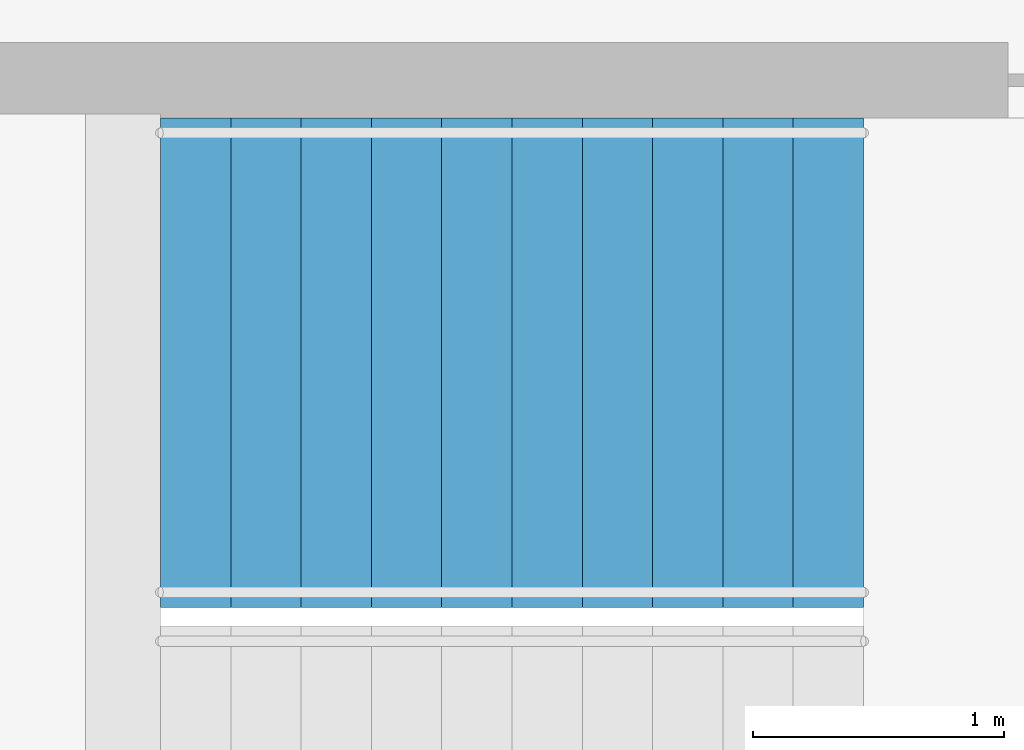
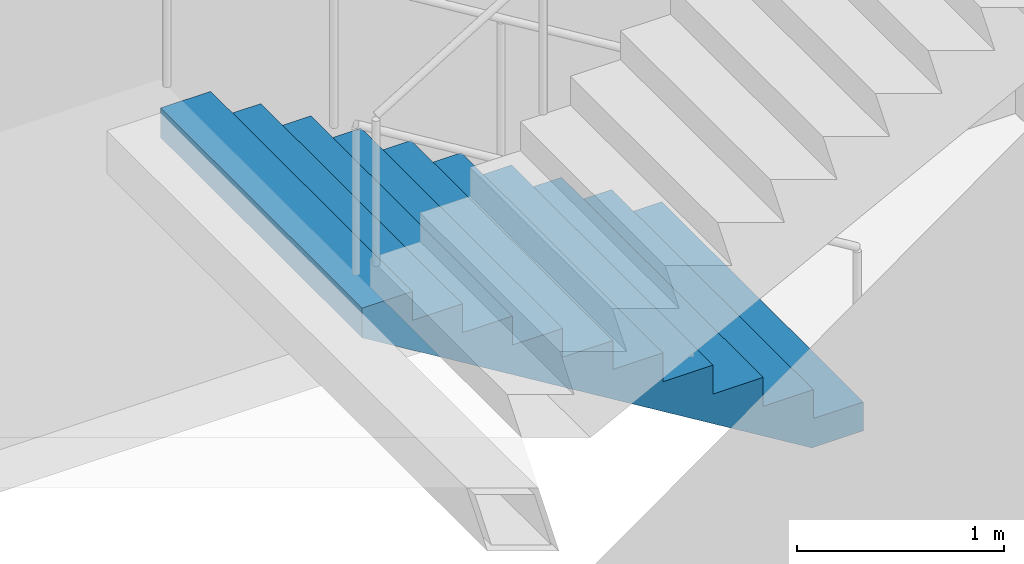
# One storey, part 20 of 21: 1 stair flight, 1 element without a shape of its own.
"""IFC4 building model written with IfcOpenShell, lengths in metres."""

import ifcopenshell
import ifcopenshell.guid

model = None  # the IFC model being written
_history = None  # IfcOwnerHistory: only IFC2X3 demands one
_inside = {}  # id of a spatial element -> (the spatial element, [elements in it])
_under = {}  # id of a project, library or spatial element -> (it, [spatial elements below it])
_declared = {}  # id of a project -> (the project, [libraries it declares])
_typed = {}  # id of a type object -> (the type object, [elements of that type])
_made_of = {}  # id of a material, layer set ... -> (it, [elements and type objects made of it])


def new_model(schema):
    """Start an empty IFC model of exactly this schema.

    Asked for "IFC4X3", IfcOpenShell would pick the latest addendum, in which some entities
    have other attributes; the version numbers below select the first issue.
    IFC2X3 requires an IfcOwnerHistory on every rooted entity: one is made here for all.
    """
    global model, _history
    if schema == "IFC4X3":
        model = ifcopenshell.file(schema_version=(4, 3, 0, 0))
    else:
        model = ifcopenshell.file(schema=schema)
    _inside.clear()
    _under.clear()
    _declared.clear()
    _typed.clear()
    _made_of.clear()
    _history = None
    if model.schema == "IFC2X3":
        org = make("IfcOrganization", Name="unknown")
        user = make(
            "IfcPersonAndOrganization",
            ThePerson=make("IfcPerson", FamilyName="unknown"),
            TheOrganization=org,
        )
        app = make(
            "IfcApplication",
            ApplicationDeveloper=org,
            Version="unknown",
            ApplicationFullName="unknown",
            ApplicationIdentifier="unknown",
        )
        _history = make(
            "IfcOwnerHistory",
            OwningUser=user,
            OwningApplication=app,
            ChangeAction="ADDED",
            CreationDate=0,
        )
    return model


def make(cls, **values):
    """One entity of the class cls with the attributes given. An attribute that is None is left unset."""
    return model.create_entity(
        cls, **{name: value for name, value in values.items() if value is not None}
    )


def rooted(cls, **values):
    """An entity with a GlobalId (a new one), such as an element, a storey or a relation."""
    return make(cls, GlobalId=ifcopenshell.guid.new(), OwnerHistory=_history, **values)


def si_unit(unit_type, name, prefix=None):
    """IfcSIUnit, for example si_unit("LENGTHUNIT", "METRE", prefix="MILLI")."""
    return make("IfcSIUnit", UnitType=unit_type, Prefix=prefix, Name=name)


def assignment(units):
    """IfcUnitAssignment: the units of a project."""
    return None if units is None else make("IfcUnitAssignment", Units=units)


def point(xyz):
    """IfcCartesianPoint."""
    return None if xyz is None else make("IfcCartesianPoint", Coordinates=xyz)


def direction(xyz):
    """IfcDirection."""
    return None if xyz is None else make("IfcDirection", DirectionRatios=xyz)


def frame(location, z_axis=None, x_axis=None):
    """IfcAxis2Placement3D, a coordinate frame: its origin and axes. An axis left out is left unset."""
    return make(
        "IfcAxis2Placement3D",
        Location=point(location),
        Axis=direction(z_axis),
        RefDirection=direction(x_axis),
    )


def origin():
    """The frame at (0, 0, 0) with its axes left unset."""
    return frame((0.0, 0.0, 0.0))


def place(relative_to, where):
    """IfcLocalPlacement: puts the frame where relative to a parent placement (None: the world)."""
    return make(
        "IfcLocalPlacement", PlacementRelTo=relative_to, RelativePlacement=where
    )


def context(
    kind, dimensions, precision=None, world=None, true_north=None, identifier=None
):
    """IfcGeometricRepresentationContext, for example the 3D "Model" context."""
    return make(
        "IfcGeometricRepresentationContext",
        ContextIdentifier=identifier,
        ContextType=kind,
        CoordinateSpaceDimension=dimensions,
        Precision=precision,
        WorldCoordinateSystem=world,
        TrueNorth=true_north,
    )


def subcontext(parent, identifier, kind, view, scale=None):
    """IfcGeometricRepresentationSubContext, for example "Body" below "Model"."""
    return make(
        "IfcGeometricRepresentationSubContext",
        ContextIdentifier=identifier,
        ContextType=kind,
        ParentContext=parent,
        TargetScale=scale,
        TargetView=view,
    )


def project(units=None, contexts=None):
    """IfcProject with its units and contexts."""
    return rooted(
        "IfcProject",
        Name="project",
        RepresentationContexts=contexts,
        UnitsInContext=assignment(units),
    )


def spatial(cls, under=None, at=None, **own):
    """A site, building, storey or space (cls), placed at a placement, below another one or the project."""
    s = rooted(cls, ObjectPlacement=at, **own)
    if under is not None:
        _under.setdefault(under.id(), (under, []))[1].append(s)
    return s


def point_list(points):
    """IfcCartesianPointList2D or 3D."""
    cls = (
        "IfcCartesianPointList2D" if len(points[0]) == 2 else "IfcCartesianPointList3D"
    )
    return make(cls, CoordList=points)


def triangles(points, corners, closed=None, point_numbers=None):
    """IfcTriangulatedFaceSet: each triangle names its three corners, points numbered from 1."""
    return make(
        "IfcTriangulatedFaceSet",
        Coordinates=point_list(points),
        Closed=closed,
        CoordIndex=corners,
        PnIndex=point_numbers,
    )


def shape(context_of_items, identifier, shape_type, items):
    """IfcShapeRepresentation: the items that make up one representation, for example the "Body"."""
    return make(
        "IfcShapeRepresentation",
        ContextOfItems=context_of_items,
        RepresentationIdentifier=identifier,
        RepresentationType=shape_type,
        Items=items,
    )


def material(Name=None, Category=None):
    """IfcMaterial."""
    return make("IfcMaterial", Name=Name, Category=Category)


def made_of(thing, what):
    """Note that an element or type object is made of a material, layer set ...; save() writes the relation."""
    if what is not None:
        _made_of.setdefault(what.id(), (what, []))[1].append(thing)
    return thing


def type_object(cls, material=None, **own):
    """A type object (cls), such as IfcWallType, which elements share."""
    return made_of(rooted(cls, **own), material)


def element(
    cls,
    number,
    at=None,
    inside=None,
    cuts=None,
    type_object=None,
    material=None,
    context=None,
    identifier="Body",
    shape_type=None,
    held_by="IfcProductDefinitionShape",
    body=None,
    shapes=None,
    **own,
):
    """One element of the class cls, such as IfcWall. Its Tag is "e" and its number.

    at: its placement. inside: the storey or other place that contains it. cuts: it is an
    opening in that element (IfcRelVoidsElement). A single representation is given by context,
    identifier, shape_type and body (its items); several are given by shapes. held_by: the class
    of the entity that holds the representations. save() writes the other relations.
    """
    e = rooted(cls, Tag="e%d" % number, ObjectPlacement=at, **own)
    if body is not None:
        shapes = [shape(context, identifier, shape_type, body)]
    if shapes is not None:
        e.Representation = make(held_by, Representations=shapes)
    if inside is not None:
        _inside.setdefault(inside.id(), (inside, []))[1].append(e)
    if cuts is not None:
        rooted(
            "IfcRelVoidsElement", RelatingBuildingElement=cuts, RelatedOpeningElement=e
        )
    if type_object is not None:
        _typed.setdefault(type_object.id(), (type_object, []))[1].append(e)
    return made_of(e, material)


def aggregate(whole, parts):
    """IfcRelAggregates: a whole, such as a stair, and the parts it consists of."""
    return rooted("IfcRelAggregates", RelatingObject=whole, RelatedObjects=parts)


def save(model, path):
    """Write the relations noted so far, then the file.

    IfcRelAggregates (storeys below a building ...), IfcRelContainedInSpatialStructure (elements
    in a storey), IfcRelDefinesByType, IfcRelAssociatesMaterial and IfcRelDeclares: one each for
    every whole, place, type object, material and project.
    """
    for whole, parts in _under.values():
        aggregate(whole, parts)
    for where, things in _inside.values():
        rooted(
            "IfcRelContainedInSpatialStructure",
            RelatedElements=things,
            RelatingStructure=where,
        )
    for kind, things in _typed.values():
        rooted("IfcRelDefinesByType", RelatedObjects=things, RelatingType=kind)
    for what, things in _made_of.values():
        rooted("IfcRelAssociatesMaterial", RelatedObjects=things, RelatingMaterial=what)
    for by, libraries in _declared.values():
        rooted("IfcRelDeclares", RelatingContext=by, RelatedDefinitions=libraries)
    model.write(path)


model = new_model("IFC4")

# Units and contexts
model_context = context("Model", 3, precision=1e-05, world=origin(), true_north=direction((0.0, 1.0)))
body_context = subcontext(model_context, "Body", "Model", "MODEL_VIEW")
ifc_project = project(units=[si_unit("LENGTHUNIT", "METRE"), si_unit("AREAUNIT", "SQUARE_METRE"), si_unit("VOLUMEUNIT", "CUBIC_METRE"), si_unit("PLANEANGLEUNIT", "RADIAN"), si_unit("MASSUNIT", "GRAM", prefix="KILO")], contexts=[model_context])

# Site, building, storey
site_placement = place(None, origin())
site = spatial("IfcSite", under=ifc_project, at=site_placement, CompositionType="ELEMENT")
building_placement = place(site_placement, origin())
building = spatial("IfcBuilding", under=site, at=building_placement, Name="Orbita Commons", CompositionType="ELEMENT")
storey_placement = place(building_placement, frame((0.0, 0.0, 125.64990234375)))
storey = spatial("IfcBuildingStorey", under=building, at=storey_placement, Name="L31", CompositionType="ELEMENT", Elevation=125.64990234375)

# Stair, stair flight
ifc_material_1 = material(Name="Precast concrete C40/50", Category="concrete")
stair_type = type_object("IfcStairType", Name="Exit stair S2 2 flights 11 risers 170", PredefinedType="HALF_TURN_STAIR", material=ifc_material_1)
stair_placement = place(storey_placement, origin())
stair = element("IfcStair", 1, at=stair_placement, inside=storey, type_object=stair_type, Name="Exit stair S2 L31", PredefinedType="HALF_TURN_STAIR")
ifc_material_2 = material(Name="Precast concrete C40/50", Category="concrete")
stair_flight_type = type_object("IfcStairFlightType", Name="Stair flight 11 risers 170 x 280", PredefinedType="STRAIGHT", material=ifc_material_2)
stair_flight_placement = place(storey_placement, frame((63.550048828125, 29.27490234375, 0.0), z_axis=(0.0, 0.0, 1.0), x_axis=(-1.0, 0.0, 0.0)))
stair_flight = element("IfcStairFlight", 2, at=stair_flight_placement, type_object=stair_flight_type, Name="S2 flight 1", NumberOfRisers=11, NumberOfTreads=10, PredefinedType="STRAIGHT", RiserHeight=0.170454545, TreadLength=0.28, context=body_context, shape_type="Tessellation", body=[
    triangles([(0.0, 0.974976, 0.0), (0.0, 0.974976, 0.021307), (0.0, 0.81248, 0.021307), (0.0, 0.81248, 0.0), (0.0, 0.649984, 0.021307), (0.0, 0.649984, 0.0), (0.0, 0.487488, 0.021307), (0.0, 0.487488, 0.0), (0.0, 0.324992, 0.021307), (0.0, 0.324992, 0.0), (0.0, 0.162496, 0.021307), (0.0, 0.162496, 0.0), (0.0, 0.0, 0.021307), (0.0, 0.0, 0.0), (0.0, -0.162496, 0.021307), (0.0, -0.162496, 0.0), (0.0, -0.324992, 0.021307), (0.0, -0.324992, 0.0), (0.0, -0.487488, 0.021307), (0.0, -0.487488, 0.0), (0.0, -0.649984, 0.021307), (0.0, -0.649984, 0.0), (0.0, -0.81248, 0.021307), (0.0, -0.81248, 0.0), (0.0, -0.974976, 0.021307), (0.0, -0.974976, 0.0), (0.0, 0.974976, 0.042614), (0.0, 0.81248, 0.042614), (0.0, 0.649984, 0.042614), (0.0, 0.487488, 0.042614), (0.0, 0.324992, 0.042614), (0.0, 0.162496, 0.042614), (0.0, 0.0, 0.042614), (0.0, -0.162496, 0.042614), (0.0, -0.324992, 0.042614), (0.0, -0.487488, 0.042614), (0.0, -0.649984, 0.042614), (0.0, -0.81248, 0.042614), (0.0, -0.974976, 0.042614), (0.0, 0.974976, 0.06392), (0.0, 0.81248, 0.06392), (0.0, 0.649984, 0.06392), (0.0, 0.487488, 0.06392), (0.0, 0.324992, 0.06392), (0.0, 0.162496, 0.06392), (0.0, 0.0, 0.06392), (0.0, -0.162496, 0.06392), (0.0, -0.324992, 0.06392), (0.0, -0.487488, 0.06392), (0.0, -0.649984, 0.06392), (0.0, -0.81248, 0.06392), (0.0, -0.974976, 0.06392), (0.0, 0.974976, 0.085227), (0.0, 0.81248, 0.085227), (0.0, 0.649984, 0.085227), (0.0, 0.487488, 0.085227), (0.0, 0.324992, 0.085227), (0.0, 0.162496, 0.085227), (0.0, 0.0, 0.085227), (0.0, -0.162496, 0.085227), (0.0, -0.324992, 0.085227), (0.0, -0.487488, 0.085227), (0.0, -0.649984, 0.085227), (0.0, -0.81248, 0.085227), (0.0, -0.974976, 0.085227), (0.0, 0.974976, 0.106534), (0.0, 0.81248, 0.106534), (0.0, 0.649984, 0.106534), (0.0, 0.487488, 0.106534), (0.0, 0.324992, 0.106534), (0.0, 0.162496, 0.106534), (0.0, 0.0, 0.106534), (0.0, -0.162496, 0.106534), (0.0, -0.324992, 0.106534), (0.0, -0.487488, 0.106534), (0.0, -0.649984, 0.106534), (0.0, -0.81248, 0.106534), (0.0, -0.974976, 0.106534), (0.0, 0.974976, 0.127841), (0.0, 0.81248, 0.127841), (0.0, 0.649984, 0.127841), (0.0, 0.487488, 0.127841), (0.0, 0.324992, 0.127841), (0.0, 0.162496, 0.127841), (0.0, 0.0, 0.127841), (0.0, -0.162496, 0.127841), (0.0, -0.324992, 0.127841), (0.0, -0.487488, 0.127841), (0.0, -0.649984, 0.127841), (0.0, -0.81248, 0.127841), (0.0, -0.974976, 0.127841), (0.0, 0.974976, 0.149148), (0.0, 0.81248, 0.149148), (0.0, 0.649984, 0.149148), (0.0, 0.487488, 0.149148), (0.0, 0.324992, 0.149148), (0.0, 0.162496, 0.149148), (0.0, 0.0, 0.149148), (0.0, -0.162496, 0.149148), (0.0, -0.324992, 0.149148), (0.0, -0.487488, 0.149148), (0.0, -0.649984, 0.149148), (0.0, -0.81248, 0.149148), (0.0, -0.974976, 0.149148), (0.0, 0.974976, 0.170455), (0.0, 0.81248, 0.170455), (0.0, 0.649984, 0.170455), (0.0, 0.487488, 0.170455), (0.0, 0.324992, 0.170455), (0.0, 0.162496, 0.170455), (0.0, 0.0, 0.170455), (0.0, -0.162496, 0.170455), (0.0, -0.324992, 0.170455), (0.0, -0.487488, 0.170455), (0.0, -0.649984, 0.170455), (0.0, -0.81248, 0.170455), (0.0, -0.974976, 0.170455), (0.28, 0.974976, 0.170455), (0.28, 0.81248, 0.170455), (0.28, 0.649984, 0.170455), (0.28, 0.487488, 0.170455), (0.28, 0.324992, 0.170455), (0.28, 0.162496, 0.170455), (0.28, 0.0, 0.170455), (0.28, -0.162496, 0.170455), (0.28, -0.324992, 0.170455), (0.28, -0.487488, 0.170455), (0.28, -0.649984, 0.170455), (0.28, -0.81248, 0.170455), (0.28, -0.974976, 0.170455), (0.28, 0.974976, 0.340909), (0.28, 0.81248, 0.340909), (0.28, 0.649984, 0.340909), (0.28, 0.487488, 0.340909), (0.28, 0.324992, 0.340909), (0.28, 0.162496, 0.340909), (0.28, 0.0, 0.340909), (0.28, -0.162496, 0.340909), (0.28, -0.324992, 0.340909), (0.28, -0.487488, 0.340909), (0.28, -0.649984, 0.340909), (0.28, -0.81248, 0.340909), (0.28, -0.974976, 0.340909), (0.56, 0.974976, 0.340909), (0.56, 0.81248, 0.340909), (0.56, 0.649984, 0.340909), (0.56, 0.487488, 0.340909), (0.56, 0.324992, 0.340909), (0.56, 0.162496, 0.340909), (0.56, 0.0, 0.340909), (0.56, -0.162496, 0.340909), (0.56, -0.324992, 0.340909), (0.56, -0.487488, 0.340909), (0.56, -0.649984, 0.340909), (0.56, -0.81248, 0.340909), (0.56, -0.974976, 0.340909), (0.56, 0.974976, 0.511364), (0.56, 0.81248, 0.511364), (0.56, 0.649984, 0.511364), (0.56, 0.487488, 0.511364), (0.56, 0.324992, 0.511364), (0.56, 0.162496, 0.511364), (0.56, 0.0, 0.511364), (0.56, -0.162496, 0.511364), (0.56, -0.324992, 0.511364), (0.56, -0.487488, 0.511364), (0.56, -0.649984, 0.511364), (0.56, -0.81248, 0.511364), (0.56, -0.974976, 0.511364), (0.84, 0.974976, 0.511364), (0.84, 0.81248, 0.511364), (0.84, 0.649984, 0.511364), (0.84, 0.487488, 0.511364), (0.84, 0.324992, 0.511364), (0.84, 0.162496, 0.511364), (0.84, 0.0, 0.511364), (0.84, -0.162496, 0.511364), (0.84, -0.324992, 0.511364), (0.84, -0.487488, 0.511364), (0.84, -0.649984, 0.511364), (0.84, -0.81248, 0.511364), (0.84, -0.974976, 0.511364), (0.84, 0.974976, 0.681818), (0.84, 0.81248, 0.681818), (0.84, 0.649984, 0.681818), (0.84, 0.487488, 0.681818), (0.84, 0.324992, 0.681818), (0.84, 0.162496, 0.681818), (0.84, 0.0, 0.681818), (0.84, -0.162496, 0.681818), (0.84, -0.324992, 0.681818), (0.84, -0.487488, 0.681818), (0.84, -0.649984, 0.681818), (0.84, -0.81248, 0.681818), (0.84, -0.974976, 0.681818), (1.12, 0.974976, 0.681818), (1.12, 0.81248, 0.681818), (1.12, 0.649984, 0.681818), (1.12, 0.487488, 0.681818), (1.12, 0.324992, 0.681818), (1.12, 0.162496, 0.681818), (1.12, 0.0, 0.681818), (1.12, -0.162496, 0.681818), (1.12, -0.324992, 0.681818), (1.12, -0.487488, 0.681818), (1.12, -0.649984, 0.681818), (1.12, -0.81248, 0.681818), (1.12, -0.974976, 0.681818), (1.12, 0.974976, 0.852273), (1.12, 0.81248, 0.852273), (1.12, 0.649984, 0.852273), (1.12, 0.487488, 0.852273), (1.12, 0.324992, 0.852273), (1.12, 0.162496, 0.852273), (1.12, 0.0, 0.852273), (1.12, -0.162496, 0.852273), (1.12, -0.324992, 0.852273), (1.12, -0.487488, 0.852273), (1.12, -0.649984, 0.852273), (1.12, -0.81248, 0.852273), (1.12, -0.974976, 0.852273), (1.4, 0.974976, 0.852273), (1.4, 0.81248, 0.852273), (1.4, 0.649984, 0.852273), (1.4, 0.487488, 0.852273), (1.4, 0.324992, 0.852273), (1.4, 0.162496, 0.852273), (1.4, 0.0, 0.852273), (1.4, -0.162496, 0.852273), (1.4, -0.324992, 0.852273), (1.4, -0.487488, 0.852273), (1.4, -0.649984, 0.852273), (1.4, -0.81248, 0.852273), (1.4, -0.974976, 0.852273), (1.4, 0.974976, 1.022727), (1.4, 0.81248, 1.022727), (1.4, 0.649984, 1.022727), (1.4, 0.487488, 1.022727), (1.4, 0.324992, 1.022727), (1.4, 0.162496, 1.022727), (1.4, 0.0, 1.022727), (1.4, -0.162496, 1.022727), (1.4, -0.324992, 1.022727), (1.4, -0.487488, 1.022727), (1.4, -0.649984, 1.022727), (1.4, -0.81248, 1.022727), (1.4, -0.974976, 1.022727), (1.68, 0.974976, 1.022727), (1.68, 0.81248, 1.022727), (1.68, 0.649984, 1.022727), (1.68, 0.487488, 1.022727), (1.68, 0.324992, 1.022727), (1.68, 0.162496, 1.022727), (1.68, 0.0, 1.022727), (1.68, -0.162496, 1.022727), (1.68, -0.324992, 1.022727), (1.68, -0.487488, 1.022727), (1.68, -0.649984, 1.022727), (1.68, -0.81248, 1.022727), (1.68, -0.974976, 1.022727), (1.68, 0.974976, 1.193182), (1.68, 0.81248, 1.193182), (1.68, 0.649984, 1.193182), (1.68, 0.487488, 1.193182), (1.68, 0.324992, 1.193182), (1.68, 0.162496, 1.193182), (1.68, 0.0, 1.193182), (1.68, -0.162496, 1.193182), (1.68, -0.324992, 1.193182), (1.68, -0.487488, 1.193182), (1.68, -0.649984, 1.193182), (1.68, -0.81248, 1.193182), (1.68, -0.974976, 1.193182), (1.96, 0.974976, 1.193182), (1.96, 0.81248, 1.193182), (1.96, 0.649984, 1.193182), (1.96, 0.487488, 1.193182), (1.96, 0.324992, 1.193182), (1.96, 0.162496, 1.193182), (1.96, 0.0, 1.193182), (1.96, -0.162496, 1.193182), (1.96, -0.324992, 1.193182), (1.96, -0.487488, 1.193182), (1.96, -0.649984, 1.193182), (1.96, -0.81248, 1.193182), (1.96, -0.974976, 1.193182), (1.96, 0.974976, 1.363636), (1.96, 0.81248, 1.363636), (1.96, 0.649984, 1.363636), (1.96, 0.487488, 1.363636), (1.96, 0.324992, 1.363636), (1.96, 0.162496, 1.363636), (1.96, 0.0, 1.363636), (1.96, -0.162496, 1.363636), (1.96, -0.324992, 1.363636), (1.96, -0.487488, 1.363636), (1.96, -0.649984, 1.363636), (1.96, -0.81248, 1.363636), (1.96, -0.974976, 1.363636), (2.24, 0.974976, 1.363636), (2.24, 0.81248, 1.363636), (2.24, 0.649984, 1.363636), (2.24, 0.487488, 1.363636), (2.24, 0.324992, 1.363636), (2.24, 0.162496, 1.363636), (2.24, 0.0, 1.363636), (2.24, -0.162496, 1.363636), (2.24, -0.324992, 1.363636), (2.24, -0.487488, 1.363636), (2.24, -0.649984, 1.363636), (2.24, -0.81248, 1.363636), (2.24, -0.974976, 1.363636), (2.24, 0.974976, 1.534091), (2.24, 0.81248, 1.534091), (2.24, 0.649984, 1.534091), (2.24, 0.487488, 1.534091), (2.24, 0.324992, 1.534091), (2.24, 0.162496, 1.534091), (2.24, 0.0, 1.534091), (2.24, -0.162496, 1.534091), (2.24, -0.324992, 1.534091), (2.24, -0.487488, 1.534091), (2.24, -0.649984, 1.534091), (2.24, -0.81248, 1.534091), (2.24, -0.974976, 1.534091), (2.52, 0.974976, 1.534091), (2.52, 0.81248, 1.534091), (2.52, 0.649984, 1.534091), (2.52, 0.487488, 1.534091), (2.52, 0.324992, 1.534091), (2.52, 0.162496, 1.534091), (2.52, 0.0, 1.534091), (2.52, -0.162496, 1.534091), (2.52, -0.324992, 1.534091), (2.52, -0.487488, 1.534091), (2.52, -0.649984, 1.534091), (2.52, -0.81248, 1.534091), (2.52, -0.974976, 1.534091), (2.52, 0.974976, 1.704545), (2.52, 0.81248, 1.704545), (2.52, 0.649984, 1.704545), (2.52, 0.487488, 1.704545), (2.52, 0.324992, 1.704545), (2.52, 0.162496, 1.704545), (2.52, 0.0, 1.704545), (2.52, -0.162496, 1.704545), (2.52, -0.324992, 1.704545), (2.52, -0.487488, 1.704545), (2.52, -0.649984, 1.704545), (2.52, -0.81248, 1.704545), (2.52, -0.974976, 1.704545), (2.8, 0.974976, 1.704545), (2.8, 0.81248, 1.704545), (2.8, 0.649984, 1.704545), (2.8, 0.487488, 1.704545), (2.8, 0.324992, 1.704545), (2.8, 0.162496, 1.704545), (2.8, 0.0, 1.704545), (2.8, -0.162496, 1.704545), (2.8, -0.324992, 1.704545), (2.8, -0.487488, 1.704545), (2.8, -0.649984, 1.704545), (2.8, -0.81248, 1.704545), (2.8, -0.974976, 1.704545), (2.8, 0.974976, 1.682609), (2.8, 0.81248, 1.682609), (2.8, 0.649984, 1.682609), (2.8, 0.487488, 1.682609), (2.8, 0.324992, 1.682609), (2.8, 0.162496, 1.682609), (2.8, 0.0, 1.682609), (2.8, -0.162496, 1.682609), (2.8, -0.324992, 1.682609), (2.8, -0.487488, 1.682609), (2.8, -0.649984, 1.682609), (2.8, -0.81248, 1.682609), (2.8, -0.974976, 1.682609), (2.8, 0.974976, 1.660672), (2.8, 0.81248, 1.660672), (2.8, 0.649984, 1.660672), (2.8, 0.487488, 1.660672), (2.8, 0.324992, 1.660672), (2.8, 0.162496, 1.660672), (2.8, 0.0, 1.660672), (2.8, -0.162496, 1.660672), (2.8, -0.324992, 1.660672), (2.8, -0.487488, 1.660672), (2.8, -0.649984, 1.660672), (2.8, -0.81248, 1.660672), (2.8, -0.974976, 1.660672), (2.8, 0.974976, 1.638735), (2.8, 0.81248, 1.638735), (2.8, 0.649984, 1.638735), (2.8, 0.487488, 1.638735), (2.8, 0.324992, 1.638735), (2.8, 0.162496, 1.638735), (2.8, 0.0, 1.638735), (2.8, -0.162496, 1.638735), (2.8, -0.324992, 1.638735), (2.8, -0.487488, 1.638735), (2.8, -0.649984, 1.638735), (2.8, -0.81248, 1.638735), (2.8, -0.974976, 1.638735), (2.8, 0.974976, 1.616798), (2.8, 0.81248, 1.616798), (2.8, 0.649984, 1.616798), (2.8, 0.487488, 1.616798), (2.8, 0.324992, 1.616798), (2.8, 0.162496, 1.616798), (2.8, 0.0, 1.616798), (2.8, -0.162496, 1.616798), (2.8, -0.324992, 1.616798), (2.8, -0.487488, 1.616798), (2.8, -0.649984, 1.616798), (2.8, -0.81248, 1.616798), (2.8, -0.974976, 1.616798), (2.8, 0.974976, 1.594861), (2.8, 0.81248, 1.594861), (2.8, 0.649984, 1.594861), (2.8, 0.487488, 1.594861), (2.8, 0.324992, 1.594861), (2.8, 0.162496, 1.594861), (2.8, 0.0, 1.594861), (2.8, -0.162496, 1.594861), (2.8, -0.324992, 1.594861), (2.8, -0.487488, 1.594861), (2.8, -0.649984, 1.594861), (2.8, -0.81248, 1.594861), (2.8, -0.974976, 1.594861), (2.8, 0.974976, 1.572925), (2.8, 0.81248, 1.572925), (2.8, 0.649984, 1.572925), (2.8, 0.487488, 1.572925), (2.8, 0.324992, 1.572925), (2.8, 0.162496, 1.572925), (2.8, 0.0, 1.572925), (2.8, -0.162496, 1.572925), (2.8, -0.324992, 1.572925), (2.8, -0.487488, 1.572925), (2.8, -0.649984, 1.572925), (2.8, -0.81248, 1.572925), (2.8, -0.974976, 1.572925), (2.8, 0.974976, 1.550988), (2.8, 0.81248, 1.550988), (2.8, 0.649984, 1.550988), (2.8, 0.487488, 1.550988), (2.8, 0.324992, 1.550988), (2.8, 0.162496, 1.550988), (2.8, 0.0, 1.550988), (2.8, -0.162496, 1.550988), (2.8, -0.324992, 1.550988), (2.8, -0.487488, 1.550988), (2.8, -0.649984, 1.550988), (2.8, -0.81248, 1.550988), (2.8, -0.974976, 1.550988), (2.8, 0.974976, 1.529051), (2.8, 0.81248, 1.529051), (2.8, 0.649984, 1.529051), (2.8, 0.487488, 1.529051), (2.8, 0.324992, 1.529051), (2.8, 0.162496, 1.529051), (2.8, 0.0, 1.529051), (2.8, -0.162496, 1.529051), (2.8, -0.324992, 1.529051), (2.8, -0.487488, 1.529051), (2.8, -0.649984, 1.529051), (2.8, -0.81248, 1.529051), (2.8, -0.974976, 1.529051), (0.288279, 0.974976, 0.0), (0.288279, 0.81248, 0.0), (0.288279, 0.649984, 0.0), (0.288279, 0.487488, 0.0), (0.288279, 0.324992, 0.0), (0.288279, 0.162496, 0.0), (0.288279, 0.0, 0.0), (0.288279, -0.162496, 0.0), (0.288279, -0.324992, 0.0), (0.288279, -0.487488, 0.0), (0.288279, -0.649984, 0.0), (0.288279, -0.81248, 0.0), (0.288279, -0.974976, 0.0)], [[3, 2, 1], [4, 3, 1], [5, 3, 4], [6, 5, 4], [7, 5, 6], [8, 7, 6], [9, 7, 8], [10, 9, 8], [11, 9, 10], [12, 11, 10], [13, 11, 12], [14, 13, 12], [15, 13, 14], [16, 15, 14], [17, 15, 16], [18, 17, 16], [19, 17, 18], [20, 19, 18], [21, 19, 20], [22, 21, 20], [23, 21, 22], [24, 23, 22], [25, 23, 24], [26, 25, 24], [28, 27, 2], [3, 28, 2], [29, 28, 3], [5, 29, 3], [30, 29, 5], [7, 30, 5], [31, 30, 7], [9, 31, 7], [32, 31, 9], [11, 32, 9], [33, 32, 11], [13, 33, 11], [34, 33, 13], [15, 34, 13], [35, 34, 15], [17, 35, 15], [36, 35, 17], [19, 36, 17], [37, 36, 19], [21, 37, 19], [38, 37, 21], [23, 38, 21], [39, 38, 23], [25, 39, 23], [41, 40, 27], [28, 41, 27], [42, 41, 28], [29, 42, 28], [43, 42, 29], [30, 43, 29], [44, 43, 30], [31, 44, 30], [45, 44, 31], [32, 45, 31], [46, 45, 32], [33, 46, 32], [47, 46, 33], [34, 47, 33], [48, 47, 34], [35, 48, 34], [49, 48, 35], [36, 49, 35], [50, 49, 36], [37, 50, 36], [51, 50, 37], [38, 51, 37], [52, 51, 38], [39, 52, 38], [54, 53, 40], [41, 54, 40], [55, 54, 41], [42, 55, 41], [56, 55, 42], [43, 56, 42], [57, 56, 43], [44, 57, 43], [58, 57, 44], [45, 58, 44], [59, 58, 45], [46, 59, 45], [60, 59, 46], [47, 60, 46], [61, 60, 47], [48, 61, 47], [62, 61, 48], [49, 62, 48], [63, 62, 49], [50, 63, 49], [64, 63, 50], [51, 64, 50], [65, 64, 51], [52, 65, 51], [67, 66, 53], [54, 67, 53], [68, 67, 54], [55, 68, 54], [69, 68, 55], [56, 69, 55], [70, 69, 56], [57, 70, 56], [71, 70, 57], [58, 71, 57], [72, 71, 58], [59, 72, 58], [73, 72, 59], [60, 73, 59], [74, 73, 60], [61, 74, 60], [75, 74, 61], [62, 75, 61], [76, 75, 62], [63, 76, 62], [77, 76, 63], [64, 77, 63], [78, 77, 64], [65, 78, 64], [80, 79, 66], [67, 80, 66], [81, 80, 67], [68, 81, 67], [82, 81, 68], [69, 82, 68], [83, 82, 69], [70, 83, 69], [84, 83, 70], [71, 84, 70], [85, 84, 71], [72, 85, 71], [86, 85, 72], [73, 86, 72], [87, 86, 73], [74, 87, 73], [88, 87, 74], [75, 88, 74], [89, 88, 75], [76, 89, 75], [90, 89, 76], [77, 90, 76], [91, 90, 77], [78, 91, 77], [93, 92, 79], [80, 93, 79], [94, 93, 80], [81, 94, 80], [95, 94, 81], [82, 95, 81], [96, 95, 82], [83, 96, 82], [97, 96, 83], [84, 97, 83], [98, 97, 84], [85, 98, 84], [99, 98, 85], [86, 99, 85], [100, 99, 86], [87, 100, 86], [101, 100, 87], [88, 101, 87], [102, 101, 88], [89, 102, 88], [103, 102, 89], [90, 103, 89], [104, 103, 90], [91, 104, 90], [106, 105, 92], [93, 106, 92], [107, 106, 93], [94, 107, 93], [108, 107, 94], [95, 108, 94], [109, 108, 95], [96, 109, 95], [110, 109, 96], [97, 110, 96], [111, 110, 97], [98, 111, 97], [112, 111, 98], [99, 112, 98], [113, 112, 99], [100, 113, 99], [114, 113, 100], [101, 114, 100], [115, 114, 101], [102, 115, 101], [116, 115, 102], [103, 116, 102], [117, 116, 103], [104, 117, 103], [119, 118, 105], [106, 119, 105], [120, 119, 106], [107, 120, 106], [121, 120, 107], [108, 121, 107], [122, 121, 108], [109, 122, 108], [123, 122, 109], [110, 123, 109], [124, 123, 110], [111, 124, 110], [125, 124, 111], [112, 125, 111], [126, 125, 112], [113, 126, 112], [127, 126, 113], [114, 127, 113], [128, 127, 114], [115, 128, 114], [129, 128, 115], [116, 129, 115], [130, 129, 116], [117, 130, 116], [132, 131, 118], [119, 132, 118], [133, 132, 119], [120, 133, 119], [134, 133, 120], [121, 134, 120], [135, 134, 121], [122, 135, 121], [136, 135, 122], [123, 136, 122], [137, 136, 123], [124, 137, 123], [138, 137, 124], [125, 138, 124], [139, 138, 125], [126, 139, 125], [140, 139, 126], [127, 140, 126], [141, 140, 127], [128, 141, 127], [142, 141, 128], [129, 142, 128], [143, 142, 129], [130, 143, 129], [145, 144, 131], [132, 145, 131], [146, 145, 132], [133, 146, 132], [147, 146, 133], [134, 147, 133], [148, 147, 134], [135, 148, 134], [149, 148, 135], [136, 149, 135], [150, 149, 136], [137, 150, 136], [151, 150, 137], [138, 151, 137], [152, 151, 138], [139, 152, 138], [153, 152, 139], [140, 153, 139], [154, 153, 140], [141, 154, 140], [155, 154, 141], [142, 155, 141], [156, 155, 142], [143, 156, 142], [158, 157, 144], [145, 158, 144], [159, 158, 145], [146, 159, 145], [160, 159, 146], [147, 160, 146], [161, 160, 147], [148, 161, 147], [162, 161, 148], [149, 162, 148], [163, 162, 149], [150, 163, 149], [164, 163, 150], [151, 164, 150], [165, 164, 151], [152, 165, 151], [166, 165, 152], [153, 166, 152], [167, 166, 153], [154, 167, 153], [168, 167, 154], [155, 168, 154], [169, 168, 155], [156, 169, 155], [171, 170, 157], [158, 171, 157], [172, 171, 158], [159, 172, 158], [173, 172, 159], [160, 173, 159], [174, 173, 160], [161, 174, 160], [175, 174, 161], [162, 175, 161], [176, 175, 162], [163, 176, 162], [177, 176, 163], [164, 177, 163], [178, 177, 164], [165, 178, 164], [179, 178, 165], [166, 179, 165], [180, 179, 166], [167, 180, 166], [181, 180, 167], [168, 181, 167], [182, 181, 168], [169, 182, 168], [184, 183, 170], [171, 184, 170], [185, 184, 171], [172, 185, 171], [186, 185, 172], [173, 186, 172], [187, 186, 173], [174, 187, 173], [188, 187, 174], [175, 188, 174], [189, 188, 175], [176, 189, 175], [190, 189, 176], [177, 190, 176], [191, 190, 177], [178, 191, 177], [192, 191, 178], [179, 192, 178], [193, 192, 179], [180, 193, 179], [194, 193, 180], [181, 194, 180], [195, 194, 181], [182, 195, 181], [197, 196, 183], [184, 197, 183], [198, 197, 184], [185, 198, 184], [199, 198, 185], [186, 199, 185], [200, 199, 186], [187, 200, 186], [201, 200, 187], [188, 201, 187], [202, 201, 188], [189, 202, 188], [203, 202, 189], [190, 203, 189], [204, 203, 190], [191, 204, 190], [205, 204, 191], [192, 205, 191], [206, 205, 192], [193, 206, 192], [207, 206, 193], [194, 207, 193], [208, 207, 194], [195, 208, 194], [210, 209, 196], [197, 210, 196], [211, 210, 197], [198, 211, 197], [212, 211, 198], [199, 212, 198], [213, 212, 199], [200, 213, 199], [214, 213, 200], [201, 214, 200], [215, 214, 201], [202, 215, 201], [216, 215, 202], [203, 216, 202], [217, 216, 203], [204, 217, 203], [218, 217, 204], [205, 218, 204], [219, 218, 205], [206, 219, 205], [220, 219, 206], [207, 220, 206], [221, 220, 207], [208, 221, 207], [223, 222, 209], [210, 223, 209], [224, 223, 210], [211, 224, 210], [225, 224, 211], [212, 225, 211], [226, 225, 212], [213, 226, 212], [227, 226, 213], [214, 227, 213], [228, 227, 214], [215, 228, 214], [229, 228, 215], [216, 229, 215], [230, 229, 216], [217, 230, 216], [231, 230, 217], [218, 231, 217], [232, 231, 218], [219, 232, 218], [233, 232, 219], [220, 233, 219], [234, 233, 220], [221, 234, 220], [236, 235, 222], [223, 236, 222], [237, 236, 223], [224, 237, 223], [238, 237, 224], [225, 238, 224], [239, 238, 225], [226, 239, 225], [240, 239, 226], [227, 240, 226], [241, 240, 227], [228, 241, 227], [242, 241, 228], [229, 242, 228], [243, 242, 229], [230, 243, 229], [244, 243, 230], [231, 244, 230], [245, 244, 231], [232, 245, 231], [246, 245, 232], [233, 246, 232], [247, 246, 233], [234, 247, 233], [249, 248, 235], [236, 249, 235], [250, 249, 236], [237, 250, 236], [251, 250, 237], [238, 251, 237], [252, 251, 238], [239, 252, 238], [253, 252, 239], [240, 253, 239], [254, 253, 240], [241, 254, 240], [255, 254, 241], [242, 255, 241], [256, 255, 242], [243, 256, 242], [257, 256, 243], [244, 257, 243], [258, 257, 244], [245, 258, 244], [259, 258, 245], [246, 259, 245], [260, 259, 246], [247, 260, 246], [262, 261, 248], [249, 262, 248], [263, 262, 249], [250, 263, 249], [264, 263, 250], [251, 264, 250], [265, 264, 251], [252, 265, 251], [266, 265, 252], [253, 266, 252], [267, 266, 253], [254, 267, 253], [268, 267, 254], [255, 268, 254], [269, 268, 255], [256, 269, 255], [270, 269, 256], [257, 270, 256], [271, 270, 257], [258, 271, 257], [272, 271, 258], [259, 272, 258], [273, 272, 259], [260, 273, 259], [275, 274, 261], [262, 275, 261], [276, 275, 262], [263, 276, 262], [277, 276, 263], [264, 277, 263], [278, 277, 264], [265, 278, 264], [279, 278, 265], [266, 279, 265], [280, 279, 266], [267, 280, 266], [281, 280, 267], [268, 281, 267], [282, 281, 268], [269, 282, 268], [283, 282, 269], [270, 283, 269], [284, 283, 270], [271, 284, 270], [285, 284, 271], [272, 285, 271], [286, 285, 272], [273, 286, 272], [288, 287, 274], [275, 288, 274], [289, 288, 275], [276, 289, 275], [290, 289, 276], [277, 290, 276], [291, 290, 277], [278, 291, 277], [292, 291, 278], [279, 292, 278], [293, 292, 279], [280, 293, 279], [294, 293, 280], [281, 294, 280], [295, 294, 281], [282, 295, 281], [296, 295, 282], [283, 296, 282], [297, 296, 283], [284, 297, 283], [298, 297, 284], [285, 298, 284], [299, 298, 285], [286, 299, 285], [301, 300, 287], [288, 301, 287], [302, 301, 288], [289, 302, 288], [303, 302, 289], [290, 303, 289], [304, 303, 290], [291, 304, 290], [305, 304, 291], [292, 305, 291], [306, 305, 292], [293, 306, 292], [307, 306, 293], [294, 307, 293], [308, 307, 294], [295, 308, 294], [309, 308, 295], [296, 309, 295], [310, 309, 296], [297, 310, 296], [311, 310, 297], [298, 311, 297], [312, 311, 298], [299, 312, 298], [314, 313, 300], [301, 314, 300], [315, 314, 301], [302, 315, 301], [316, 315, 302], [303, 316, 302], [317, 316, 303], [304, 317, 303], [318, 317, 304], [305, 318, 304], [319, 318, 305], [306, 319, 305], [320, 319, 306], [307, 320, 306], [321, 320, 307], [308, 321, 307], [322, 321, 308], [309, 322, 308], [323, 322, 309], [310, 323, 309], [324, 323, 310], [311, 324, 310], [325, 324, 311], [312, 325, 311], [327, 326, 313], [314, 327, 313], [328, 327, 314], [315, 328, 314], [329, 328, 315], [316, 329, 315], [330, 329, 316], [317, 330, 316], [331, 330, 317], [318, 331, 317], [332, 331, 318], [319, 332, 318], [333, 332, 319], [320, 333, 319], [334, 333, 320], [321, 334, 320], [335, 334, 321], [322, 335, 321], [336, 335, 322], [323, 336, 322], [337, 336, 323], [324, 337, 323], [338, 337, 324], [325, 338, 324], [340, 339, 326], [327, 340, 326], [341, 340, 327], [328, 341, 327], [342, 341, 328], [329, 342, 328], [343, 342, 329], [330, 343, 329], [344, 343, 330], [331, 344, 330], [345, 344, 331], [332, 345, 331], [346, 345, 332], [333, 346, 332], [347, 346, 333], [334, 347, 333], [348, 347, 334], [335, 348, 334], [349, 348, 335], [336, 349, 335], [350, 349, 336], [337, 350, 336], [351, 350, 337], [338, 351, 337], [353, 352, 339], [340, 353, 339], [354, 353, 340], [341, 354, 340], [355, 354, 341], [342, 355, 341], [356, 355, 342], [343, 356, 342], [357, 356, 343], [344, 357, 343], [358, 357, 344], [345, 358, 344], [359, 358, 345], [346, 359, 345], [360, 359, 346], [347, 360, 346], [361, 360, 347], [348, 361, 347], [362, 361, 348], [349, 362, 348], [363, 362, 349], [350, 363, 349], [364, 363, 350], [351, 364, 350], [366, 365, 352], [353, 366, 352], [367, 366, 353], [354, 367, 353], [368, 367, 354], [355, 368, 354], [369, 368, 355], [356, 369, 355], [370, 369, 356], [357, 370, 356], [371, 370, 357], [358, 371, 357], [372, 371, 358], [359, 372, 358], [373, 372, 359], [360, 373, 359], [374, 373, 360], [361, 374, 360], [375, 374, 361], [362, 375, 361], [376, 375, 362], [363, 376, 362], [377, 376, 363], [364, 377, 363], [379, 378, 365], [366, 379, 365], [380, 379, 366], [367, 380, 366], [381, 380, 367], [368, 381, 367], [382, 381, 368], [369, 382, 368], [383, 382, 369], [370, 383, 369], [384, 383, 370], [371, 384, 370], [385, 384, 371], [372, 385, 371], [386, 385, 372], [373, 386, 372], [387, 386, 373], [374, 387, 373], [388, 387, 374], [375, 388, 374], [389, 388, 375], [376, 389, 375], [390, 389, 376], [377, 390, 376], [392, 391, 378], [379, 392, 378], [393, 392, 379], [380, 393, 379], [394, 393, 380], [381, 394, 380], [395, 394, 381], [382, 395, 381], [396, 395, 382], [383, 396, 382], [397, 396, 383], [384, 397, 383], [398, 397, 384], [385, 398, 384], [399, 398, 385], [386, 399, 385], [400, 399, 386], [387, 400, 386], [401, 400, 387], [388, 401, 387], [402, 401, 388], [389, 402, 388], [403, 402, 389], [390, 403, 389], [405, 404, 391], [392, 405, 391], [406, 405, 392], [393, 406, 392], [407, 406, 393], [394, 407, 393], [408, 407, 394], [395, 408, 394], [409, 408, 395], [396, 409, 395], [410, 409, 396], [397, 410, 396], [411, 410, 397], [398, 411, 397], [412, 411, 398], [399, 412, 398], [413, 412, 399], [400, 413, 399], [414, 413, 400], [401, 414, 400], [415, 414, 401], [402, 415, 401], [416, 415, 402], [403, 416, 402], [418, 417, 404], [405, 418, 404], [419, 418, 405], [406, 419, 405], [420, 419, 406], [407, 420, 406], [421, 420, 407], [408, 421, 407], [422, 421, 408], [409, 422, 408], [423, 422, 409], [410, 423, 409], [424, 423, 410], [411, 424, 410], [425, 424, 411], [412, 425, 411], [426, 425, 412], [413, 426, 412], [427, 426, 413], [414, 427, 413], [428, 427, 414], [415, 428, 414], [429, 428, 415], [416, 429, 415], [431, 430, 417], [418, 431, 417], [432, 431, 418], [419, 432, 418], [433, 432, 419], [420, 433, 419], [434, 433, 420], [421, 434, 420], [435, 434, 421], [422, 435, 421], [436, 435, 422], [423, 436, 422], [437, 436, 423], [424, 437, 423], [438, 437, 424], [425, 438, 424], [439, 438, 425], [426, 439, 425], [440, 439, 426], [427, 440, 426], [441, 440, 427], [428, 441, 427], [442, 441, 428], [429, 442, 428], [444, 443, 430], [431, 444, 430], [445, 444, 431], [432, 445, 431], [446, 445, 432], [433, 446, 432], [447, 446, 433], [434, 447, 433], [448, 447, 434], [435, 448, 434], [449, 448, 435], [436, 449, 435], [450, 449, 436], [437, 450, 436], [451, 450, 437], [438, 451, 437], [452, 451, 438], [439, 452, 438], [453, 452, 439], [440, 453, 439], [454, 453, 440], [441, 454, 440], [455, 454, 441], [442, 455, 441], [457, 456, 443], [444, 457, 443], [458, 457, 444], [445, 458, 444], [459, 458, 445], [446, 459, 445], [460, 459, 446], [447, 460, 446], [461, 460, 447], [448, 461, 447], [462, 461, 448], [449, 462, 448], [463, 462, 449], [450, 463, 449], [464, 463, 450], [451, 464, 450], [465, 464, 451], [452, 465, 451], [466, 465, 452], [453, 466, 452], [467, 466, 453], [454, 467, 453], [468, 467, 454], [455, 468, 454], [470, 469, 456], [457, 470, 456], [471, 470, 457], [458, 471, 457], [472, 471, 458], [459, 472, 458], [473, 472, 459], [460, 473, 459], [474, 473, 460], [461, 474, 460], [475, 474, 461], [462, 475, 461], [476, 475, 462], [463, 476, 462], [477, 476, 463], [464, 477, 463], [478, 477, 464], [465, 478, 464], [479, 478, 465], [466, 479, 465], [480, 479, 466], [467, 480, 466], [481, 480, 467], [468, 481, 467], [4, 1, 469], [470, 4, 469], [6, 4, 470], [471, 6, 470], [8, 6, 471], [472, 8, 471], [10, 8, 472], [473, 10, 472], [12, 10, 473], [474, 12, 473], [14, 12, 474], [475, 14, 474], [16, 14, 475], [476, 16, 475], [18, 16, 476], [477, 18, 476], [20, 18, 477], [478, 20, 477], [22, 20, 478], [479, 22, 478], [24, 22, 479], [480, 24, 479], [26, 24, 480], [481, 26, 480], [456, 469, 1], [26, 481, 468], [443, 456, 1], [26, 468, 455], [430, 443, 1], [26, 455, 442], [417, 430, 1], [26, 442, 429], [404, 417, 1], [26, 429, 416], [391, 404, 1], [26, 416, 403], [378, 391, 1], [26, 403, 390], [365, 378, 1], [26, 390, 377], [339, 352, 365], [377, 364, 351], [326, 339, 365], [377, 351, 338], [300, 313, 326], [338, 325, 312], [300, 326, 365], [377, 338, 312], [274, 287, 300], [312, 299, 286], [274, 300, 365], [377, 312, 286], [248, 261, 274], [286, 273, 260], [248, 274, 365], [377, 286, 260], [222, 235, 248], [260, 247, 234], [222, 248, 365], [377, 260, 234], [196, 209, 222], [234, 221, 208], [196, 222, 365], [377, 234, 208], [170, 183, 196], [208, 195, 182], [170, 196, 365], [377, 208, 182], [144, 157, 170], [182, 169, 156], [144, 170, 365], [377, 182, 156], [118, 131, 144], [156, 143, 130], [118, 144, 365], [377, 156, 130], [118, 365, 1], [26, 377, 130], [92, 105, 118], [130, 117, 104], [79, 92, 118], [130, 104, 91], [66, 79, 118], [130, 91, 78], [53, 66, 118], [130, 78, 65], [40, 53, 118], [130, 65, 52], [27, 40, 118], [130, 52, 39], [2, 27, 118], [130, 39, 25], [1, 2, 118], [130, 25, 26]], closed=True),
])
aggregate(stair, [stair_flight])

save(model, "model.ifc")
